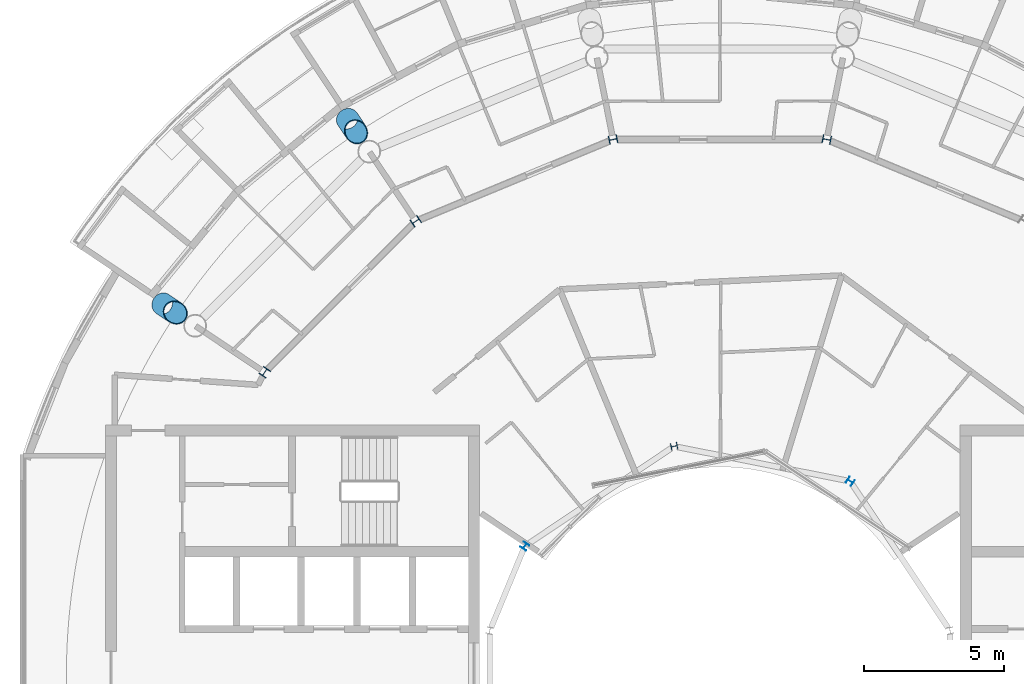
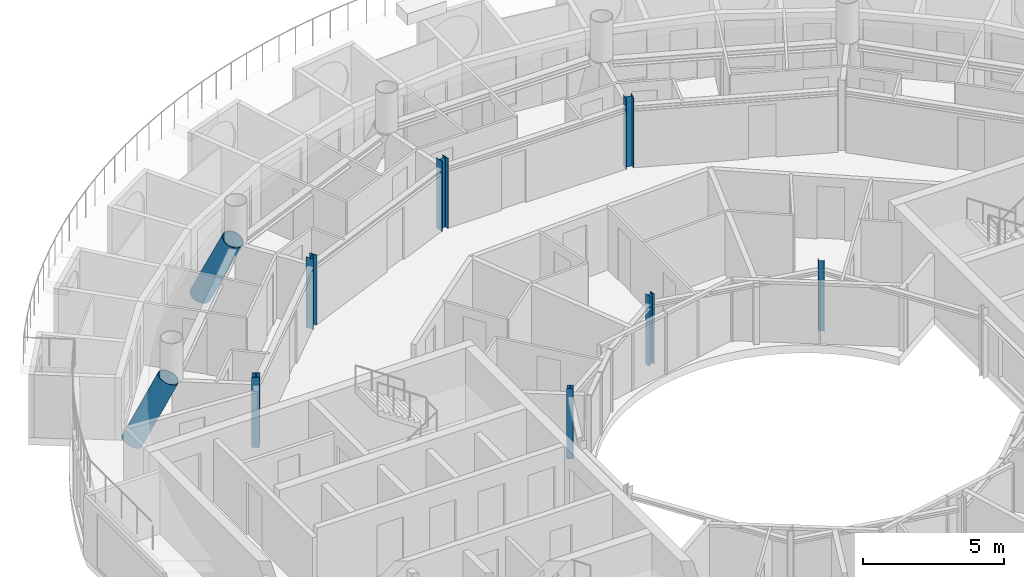
# One storey, part 4 of 25: 9 columns.
"""IFC4 building model written with IfcOpenShell, lengths in metres."""

from ifc_helpers import new_model, si_unit, direction, frame, origin, origin_2d, place, context, subcontext, project, spatial, hollow_circle, i_section, extrude, material, material_profile, profile_set, type_object, element, save


model = new_model("IFC4")

# Units and contexts
model_context = context("Model", 3, precision=1e-05, world=origin(), true_north=direction((0.0, 1.0)))
body_context = subcontext(model_context, "Body", "Model", "MODEL_VIEW")
ifc_project = project(units=[si_unit("LENGTHUNIT", "METRE"), si_unit("AREAUNIT", "SQUARE_METRE"), si_unit("VOLUMEUNIT", "CUBIC_METRE"), si_unit("PLANEANGLEUNIT", "RADIAN"), si_unit("MASSUNIT", "GRAM", prefix="KILO")], contexts=[model_context])

# Site, building, storey
site_placement = place(None, origin())
site = spatial("IfcSite", under=ifc_project, at=site_placement, CompositionType="ELEMENT")
building_placement = place(site_placement, origin())
building = spatial("IfcBuilding", under=site, at=building_placement, Name="Maasbend Ring Residences", CompositionType="ELEMENT")
storey_placement = place(building_placement, frame((0.0, 0.0, 246.25)))
storey = spatial("IfcBuildingStorey", under=building, at=storey_placement, Name="L71", CompositionType="ELEMENT", Elevation=246.25)

# Columns
ifc_material_1 = material(Name="Composite concrete-filled steel tube S460NH / C80/95", Category="concrete")
ifc_material_profile_1 = material_profile(ifc_material_1, hollow_circle(Radius=0.406494140625, WallThickness=0.030029296875, at=origin_2d()), Name="Composite tube column CHS 813x30")
ifc_profile_set_1 = profile_set([ifc_material_profile_1], Name="Composite concrete-filled steel tube S460NH / C80/95")
column_type_1 = type_object("IfcColumnType", Name="Composite tube column CHS 813x30", PredefinedType="COLUMN", material=ifc_profile_set_1)
for number, where, z_axis, x_axis, name in (
    (1, (-13.333740234375, 19.955322265625, 0.0), (0.231767499499, -0.346819263352, 0.908845545043), (0.831436082083, 0.555620411262, 0.0), "Outer column R6"),
    (2, (-19.955322265625, 13.333740234375, 0.0), (0.346819263352, -0.231767499499, 0.908845545043), (0.555620411262, 0.831436082083, 0.0), "Outer column R7"),
):
    element("IfcColumn", number, at=place(storey_placement, frame(where, z_axis=z_axis, x_axis=x_axis)), inside=storey, type_object=column_type_1, Name=name, PredefinedType="COLUMN", context=body_context, shape_type="SweptSolid", body=[
        extrude(hollow_circle(Radius=0.406494140625, WallThickness=0.030029296875, at=origin_2d()), origin(), (0.0, 0.0, 1.0), 3.0810546875),
    ])
ifc_material_2 = material(Name="Steel S355J2", Category="steel")
ifc_material_profile_2 = material_profile(ifc_material_2, i_section(OverallWidth=0.239990234375, OverallDepth=0.22998046875, WebThickness=0.007568359375, FlangeThickness=0.011962890625, FilletRadius=0.02099609375, at=origin_2d()), Name="HEA 240")
ifc_profile_set_2 = profile_set([ifc_material_profile_2], Name="Steel S355J2")
column_type_2 = type_object("IfcColumnType", Name="Steel column HEA 240", PredefinedType="COLUMN", material=ifc_profile_set_2)
for number, where, z_axis, x_axis, name in (
    (3, (4.666748046875, 6.984375, 0.0), (0.0, 0.0, 1.0), (0.55557023302, 0.831469612303, 0.0), "Well ring column R3"),
    (4, (-1.638916015625, 8.238525390625, 0.0), (0.0, 0.0, 1.0), (-0.195090322016, 0.980785280403, 0.0), "Well ring column R5"),
    (5, (-6.984375, 4.666748046875, 0.0), (0.0, 0.0, 1.0), (-0.831469612303, 0.55557023302, 0.0), "Well ring column R7"),
):
    element("IfcColumn", number, at=place(storey_placement, frame(where, z_axis=z_axis, x_axis=x_axis)), inside=storey, type_object=column_type_2, Name=name, PredefinedType="COLUMN", context=body_context, shape_type="SweptSolid", body=[
        extrude(i_section(OverallWidth=0.239990234375, OverallDepth=0.22998046875, WebThickness=0.007568359375, FlangeThickness=0.011962890625, FilletRadius=0.02099609375, at=origin_2d()), origin(), (0.0, 0.0, 1.0), 3.050048828125),
    ])
ifc_material_3 = material(Name="Steel S355J2", Category="steel")
ifc_material_profile_3 = material_profile(ifc_material_3, i_section(OverallWidth=0.300048828125, OverallDepth=0.300048828125, WebThickness=0.010986328125, FlangeThickness=0.01904296875, FilletRadius=0.027099609375, at=origin_2d()), Name="HEB 300")
ifc_profile_set_3 = profile_set([ifc_material_profile_3], Name="Steel S355J2")
column_type_3 = type_object("IfcColumnType", Name="Steel column HEB 300", PredefinedType="COLUMN", material=ifc_profile_set_3)
for number, where, z_axis, x_axis, name in (
    (6, (3.82373046875, 19.223388671875, 0.0), (0.0, 0.0, 1.0), (0.195090322016, 0.980785280403, 0.0), "Corridor ring column R4"),
    (7, (-3.82373046875, 19.223388671875, 0.0), (0.0, 0.0, 1.0), (-0.195090322016, 0.980785280403, 0.0), "Corridor ring column R5"),
    (8, (-10.88916015625, 16.296875, 0.0), (0.0, 0.0, 1.0), (-0.55557023302, 0.831469612303, 0.0), "Corridor ring column R6"),
    (9, (-16.296875, 10.88916015625, 0.0), (0.0, 0.0, 1.0), (-0.831469612303, 0.55557023302, 0.0), "Corridor ring column R7"),
):
    element("IfcColumn", number, at=place(storey_placement, frame(where, z_axis=z_axis, x_axis=x_axis)), inside=storey, type_object=column_type_3, Name=name, PredefinedType="COLUMN", context=body_context, shape_type="SweptSolid", body=[
        extrude(i_section(OverallWidth=0.300048828125, OverallDepth=0.300048828125, WebThickness=0.010986328125, FlangeThickness=0.01904296875, FilletRadius=0.027099609375, at=origin_2d()), origin(), (0.0, 0.0, 1.0), 3.050048828125),
    ])

save(model, "model.ifc")
